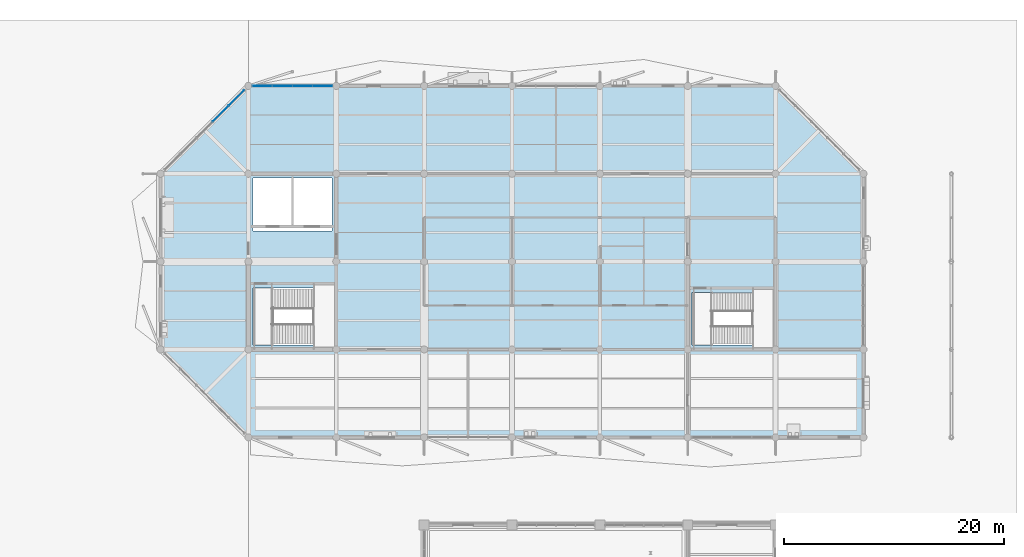
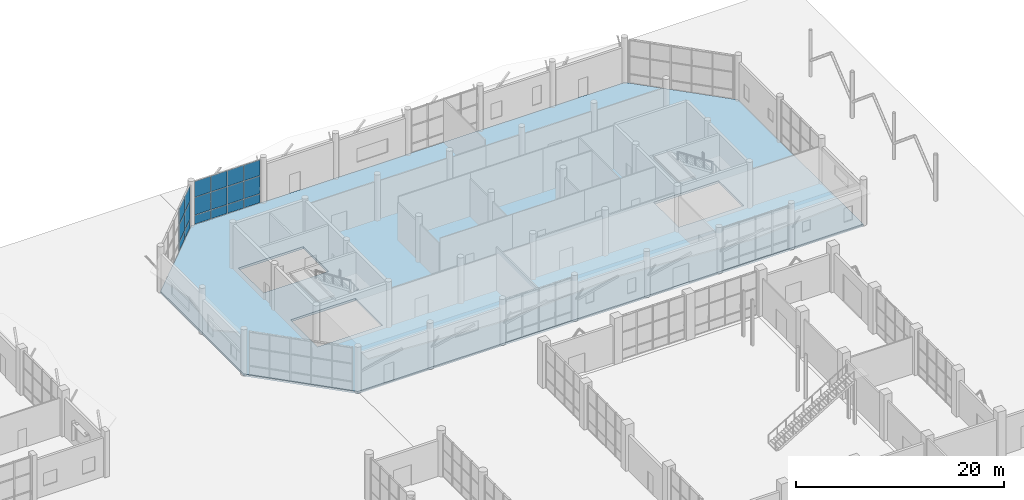
# One storey, part 85 of 123: 18 plates, 1 slab, 2 elements without a shape of their own.
"""IFC4 building model written with IfcOpenShell, lengths in metres."""

from ifc_helpers import new_model, si_unit, direction, frame, origin, origin_2d, place, context, subcontext, project, spatial, polyline, rectangle, outline, extrude, material, layer, layer_set, type_object, element, aggregate, save


model = new_model("IFC4")

# Units and contexts
model_context = context("Model", 3, precision=1e-05, world=origin(), true_north=direction((0.0, 1.0)))
body_context = subcontext(model_context, "Body", "Model", "MODEL_VIEW")
ifc_project = project(units=[si_unit("LENGTHUNIT", "METRE"), si_unit("AREAUNIT", "SQUARE_METRE"), si_unit("VOLUMEUNIT", "CUBIC_METRE"), si_unit("PLANEANGLEUNIT", "RADIAN"), si_unit("MASSUNIT", "GRAM", prefix="KILO")], contexts=[model_context])

# Site, building, storey
site_placement = place(None, origin())
site = spatial("IfcSite", under=ifc_project, at=site_placement, CompositionType="ELEMENT")
building_placement = place(site_placement, origin())
building = spatial("IfcBuilding", under=site, at=building_placement, Name="Tenunan Teduh Sports Hall", CompositionType="ELEMENT")
storey_placement = place(building_placement, origin())
storey = spatial("IfcBuildingStorey", under=building, at=storey_placement, Name="L00", CompositionType="ELEMENT", Elevation=0.0)

# Curtain wall, plates
ifc_material_1 = material(Name="Anodised aluminium", Category="aluminium")
curtain_wall_type = type_object("IfcCurtainWallType", Name="CW-UNIT-1", PredefinedType="NOTDEFINED", material=ifc_material_1)
curtain_wall_1_placement = place(storey_placement, origin())
curtain_wall_1 = element("IfcCurtainWall", 1, at=curtain_wall_1_placement, inside=storey, type_object=curtain_wall_type, Name="CW-CWM-150-L00-239", PredefinedType="NOTDEFINED")
ifc_material_2 = material(Name="Solar-control laminated glazing", Category="glass")
ifc_layer_1 = layer(ifc_material_2, 0.031982421875)
ifc_layer_set_1 = layer_set([ifc_layer_1], Name="Solar-control laminated glazing")
plate_type_1 = type_object("IfcPlateType", Name="CWP-GLZ-32", PredefinedType="CURTAIN_PANEL", material=ifc_layer_set_1)
plate_1_placement = place(storey_placement, frame((107.2587890625, 118.0, 1.1298828125), z_axis=(0.0, 0.0, 1.0), x_axis=(1.0, 0.0, 0.0)))
plate_1 = element("IfcPlate", 2, at=plate_1_placement, type_object=plate_type_1, Name="CW-01 panel 1.2", PredefinedType="CURTAIN_PANEL", context=body_context, shape_type="SweptSolid", body=[
    extrude(rectangle(XDim=1.74755859375, YDim=0.031982421875, at=origin_2d()), origin(), (0.0, 0.0, 1.0), 2.0400390625),
])
plate_2_placement = place(storey_placement, frame((107.2587890625, 118.0, 3.22998046875), z_axis=(0.0, 0.0, 1.0), x_axis=(1.0, 0.0, 0.0)))
plate_2 = element("IfcPlate", 3, at=plate_2_placement, type_object=plate_type_1, Name="CW-01 panel 1.3", PredefinedType="CURTAIN_PANEL", context=body_context, shape_type="SweptSolid", body=[
    extrude(rectangle(XDim=1.74755859375, YDim=0.031982421875, at=origin_2d()), origin(), (0.0, 0.0, 1.0), 1.830078125),
])
plate_3_placement = place(storey_placement, frame((109.081298828125, 118.0, 1.1298828125), z_axis=(0.0, 0.0, 1.0), x_axis=(1.0, 0.0, 0.0)))
plate_3 = element("IfcPlate", 4, at=plate_3_placement, type_object=plate_type_1, Name="CW-01 panel 2.2", PredefinedType="CURTAIN_PANEL", context=body_context, shape_type="SweptSolid", body=[
    extrude(rectangle(XDim=1.777587890625, YDim=0.031982421875, at=origin_2d()), origin(), (0.0, 0.0, 1.0), 2.0400390625),
])
plate_4_placement = place(storey_placement, frame((109.081298828125, 118.0, 3.22998046875), z_axis=(0.0, 0.0, 1.0), x_axis=(1.0, 0.0, 0.0)))
plate_4 = element("IfcPlate", 5, at=plate_4_placement, type_object=plate_type_1, Name="CW-01 panel 2.3", PredefinedType="CURTAIN_PANEL", context=body_context, shape_type="SweptSolid", body=[
    extrude(rectangle(XDim=1.777587890625, YDim=0.031982421875, at=origin_2d()), origin(), (0.0, 0.0, 1.0), 1.830078125),
])
plate_5_placement = place(storey_placement, frame((110.918701171875, 118.0, 1.1298828125), z_axis=(0.0, 0.0, 1.0), x_axis=(1.0, 0.0, 0.0)))
plate_5 = element("IfcPlate", 6, at=plate_5_placement, type_object=plate_type_1, Name="CW-01 panel 3.2", PredefinedType="CURTAIN_PANEL", context=body_context, shape_type="SweptSolid", body=[
    extrude(rectangle(XDim=1.777587890625, YDim=0.031982421875, at=origin_2d()), origin(), (0.0, 0.0, 1.0), 2.0400390625),
])
plate_6_placement = place(storey_placement, frame((110.918701171875, 118.0, 3.22998046875), z_axis=(0.0, 0.0, 1.0), x_axis=(1.0, 0.0, 0.0)))
plate_6 = element("IfcPlate", 7, at=plate_6_placement, type_object=plate_type_1, Name="CW-01 panel 3.3", PredefinedType="CURTAIN_PANEL", context=body_context, shape_type="SweptSolid", body=[
    extrude(rectangle(XDim=1.777587890625, YDim=0.031982421875, at=origin_2d()), origin(), (0.0, 0.0, 1.0), 1.830078125),
])
plate_7_placement = place(storey_placement, frame((112.7412109375, 118.0, 1.1298828125), z_axis=(0.0, 0.0, 1.0), x_axis=(1.0, 0.0, 0.0)))
plate_7 = element("IfcPlate", 8, at=plate_7_placement, type_object=plate_type_1, Name="CW-01 panel 4.2", PredefinedType="CURTAIN_PANEL", context=body_context, shape_type="SweptSolid", body=[
    extrude(rectangle(XDim=1.74755859375, YDim=0.031982421875, at=origin_2d()), origin(), (0.0, 0.0, 1.0), 2.0400390625),
])
plate_8_placement = place(storey_placement, frame((112.7412109375, 118.0, 3.22998046875), z_axis=(0.0, 0.0, 1.0), x_axis=(1.0, 0.0, 0.0)))
plate_8 = element("IfcPlate", 9, at=plate_8_placement, type_object=plate_type_1, Name="CW-01 panel 4.3", PredefinedType="CURTAIN_PANEL", context=body_context, shape_type="SweptSolid", body=[
    extrude(rectangle(XDim=1.74755859375, YDim=0.031982421875, at=origin_2d()), origin(), (0.0, 0.0, 1.0), 1.830078125),
])

curtain_wall_2_placement = place(storey_placement, origin())
curtain_wall_2 = element("IfcCurtainWall", 10, at=curtain_wall_2_placement, inside=storey, type_object=curtain_wall_type, Name="CW-CWM-220-L00-241", PredefinedType="NOTDEFINED")
plate_9_placement = place(storey_placement, frame((103.46337890625, 115.46337890625, 1.137451171875), z_axis=(0.0, 0.0, 1.0), x_axis=(0.707106781187, 0.707106781187, 0.0)))
plate_9 = element("IfcPlate", 11, at=plate_9_placement, type_object=plate_type_1, Name="CW-01 panel 4.2", PredefinedType="CURTAIN_PANEL", context=body_context, shape_type="SweptSolid", body=[
    extrude(rectangle(XDim=1.99462890625, YDim=0.031982421875, at=origin_2d()), origin(), (0.0, 0.0, 1.0), 2.02490234375),
])
plate_10_placement = place(storey_placement, frame((103.46337890625, 115.46337890625, 3.237548828125), z_axis=(0.0, 0.0, 1.0), x_axis=(0.707106781187, 0.707106781187, 0.0)))
plate_10 = element("IfcPlate", 12, at=plate_10_placement, type_object=plate_type_1, Name="CW-01 panel 4.3", PredefinedType="CURTAIN_PANEL", context=body_context, shape_type="SweptSolid", body=[
    extrude(rectangle(XDim=1.99462890625, YDim=0.031982421875, at=origin_2d()), origin(), (0.0, 0.0, 1.0), 1.8076171875),
])
plate_11_placement = place(storey_placement, frame((104.913818359375, 116.913818359375, 1.137451171875), z_axis=(0.0, 0.0, 1.0), x_axis=(0.707106781187, 0.707106781187, 0.0)))
plate_11 = element("IfcPlate", 13, at=plate_11_placement, type_object=plate_type_1, Name="CW-01 panel 5.2", PredefinedType="CURTAIN_PANEL", context=body_context, shape_type="SweptSolid", body=[
    extrude(rectangle(XDim=1.957275390625, YDim=0.031982421875, at=origin_2d()), origin(), (0.0, 0.0, 1.0), 2.02490234375),
])
plate_12_placement = place(storey_placement, frame((104.913818359375, 116.913818359375, 3.237548828125), z_axis=(0.0, 0.0, 1.0), x_axis=(0.707106781187, 0.707106781187, 0.0)))
plate_12 = element("IfcPlate", 14, at=plate_12_placement, type_object=plate_type_1, Name="CW-01 panel 5.3", PredefinedType="CURTAIN_PANEL", context=body_context, shape_type="SweptSolid", body=[
    extrude(rectangle(XDim=1.957275390625, YDim=0.031982421875, at=origin_2d()), origin(), (0.0, 0.0, 1.0), 1.8076171875),
])

# Plate
ifc_material_3 = material(Name="Insulated aluminium spandrel panel", Category="aluminium")
ifc_layer_2 = layer(ifc_material_3, 0.044921875)
ifc_layer_set_2 = layer_set([ifc_layer_2], Name="Insulated aluminium spandrel panel")
plate_type_2 = type_object("IfcPlateType", Name="CWP-SPN-45", PredefinedType="CURTAIN_PANEL", material=ifc_layer_set_2)
plate_13_placement = place(storey_placement, frame((107.2587890625, 118.0, 0.06005859375), z_axis=(0.0, 0.0, 1.0), x_axis=(1.0, 0.0, 0.0)))
plate_13 = element("IfcPlate", 15, at=plate_13_placement, type_object=plate_type_2, Name="CW-01 panel 1.1", PredefinedType="CURTAIN_PANEL", context=body_context, shape_type="SweptSolid", body=[
    extrude(rectangle(XDim=1.74755859375, YDim=0.031982421875, at=origin_2d()), origin(), (0.0, 0.0, 1.0), 1.010009765625),
])

plate_14_placement = place(storey_placement, frame((109.081298828125, 118.0, 0.06005859375), z_axis=(0.0, 0.0, 1.0), x_axis=(1.0, 0.0, 0.0)))
plate_14 = element("IfcPlate", 16, at=plate_14_placement, type_object=plate_type_2, Name="CW-01 panel 2.1", PredefinedType="CURTAIN_PANEL", context=body_context, shape_type="SweptSolid", body=[
    extrude(rectangle(XDim=1.777587890625, YDim=0.031982421875, at=origin_2d()), origin(), (0.0, 0.0, 1.0), 1.010009765625),
])

plate_15_placement = place(storey_placement, frame((110.918701171875, 118.0, 0.06005859375), z_axis=(0.0, 0.0, 1.0), x_axis=(1.0, 0.0, 0.0)))
plate_15 = element("IfcPlate", 17, at=plate_15_placement, type_object=plate_type_2, Name="CW-01 panel 3.1", PredefinedType="CURTAIN_PANEL", context=body_context, shape_type="SweptSolid", body=[
    extrude(rectangle(XDim=1.777587890625, YDim=0.031982421875, at=origin_2d()), origin(), (0.0, 0.0, 1.0), 1.010009765625),
])

plate_16_placement = place(storey_placement, frame((112.7412109375, 118.0, 0.06005859375), z_axis=(0.0, 0.0, 1.0), x_axis=(1.0, 0.0, 0.0)))
plate_16 = element("IfcPlate", 18, at=plate_16_placement, type_object=plate_type_2, Name="CW-01 panel 4.1", PredefinedType="CURTAIN_PANEL", context=body_context, shape_type="SweptSolid", body=[
    extrude(rectangle(XDim=1.74755859375, YDim=0.031982421875, at=origin_2d()), origin(), (0.0, 0.0, 1.0), 1.010009765625),
])

aggregate(curtain_wall_1, [plate_13, plate_1, plate_2, plate_14, plate_3, plate_4, plate_15, plate_5, plate_6, plate_16, plate_7, plate_8])

plate_17_placement = place(storey_placement, frame((103.46337890625, 115.46337890625, 0.0751953125), z_axis=(0.0, 0.0, 1.0), x_axis=(0.707106781187, 0.707106781187, 0.0)))
plate_17 = element("IfcPlate", 19, at=plate_17_placement, type_object=plate_type_2, Name="CW-01 panel 4.1", PredefinedType="CURTAIN_PANEL", context=body_context, shape_type="SweptSolid", body=[
    extrude(rectangle(XDim=1.99462890625, YDim=0.031982421875, at=origin_2d()), origin(), (0.0, 0.0, 1.0), 0.987548828125),
])

plate_18_placement = place(storey_placement, frame((104.913818359375, 116.913818359375, 0.0751953125), z_axis=(0.0, 0.0, 1.0), x_axis=(0.707106781187, 0.707106781187, 0.0)))
plate_18 = element("IfcPlate", 20, at=plate_18_placement, type_object=plate_type_2, Name="CW-01 panel 5.1", PredefinedType="CURTAIN_PANEL", context=body_context, shape_type="SweptSolid", body=[
    extrude(rectangle(XDim=1.957275390625, YDim=0.031982421875, at=origin_2d()), origin(), (0.0, 0.0, 1.0), 0.987548828125),
])

aggregate(curtain_wall_2, [plate_17, plate_9, plate_10, plate_18, plate_11, plate_12])

# Slab
ifc_material_4 = material(Name="Concrete C40/50", Category="concrete")
ifc_layer_3 = layer(ifc_material_4, 0.260009765625)
ifc_layer_set_3 = layer_set([ifc_layer_3], Name="Concrete C40/50")
slab_type = type_object("IfcSlabType", Name="SLB-FLR-260", PredefinedType="FLOOR", material=ifc_layer_set_3)
slab_placement = place(storey_placement, frame((0.0, 0.0, -0.260009765625)))
element("IfcSlab", 21, at=slab_placement, inside=storey, type_object=slab_type, Name="SL-L00-V5E", PredefinedType="FLOOR", context=body_context, shape_type="SweptSolid", body=[
    extrude(outline(polyline([(106.0, 86.0), (162.0, 86.0), (162.0, 110.0), (154.0, 118.0), (106.0, 118.0), (98.0, 110.0), (98.0, 94.0), (106.0, 86.0)]), holes=[polyline([(106.39990234375, 94.39990234375), (113.60009765625, 94.39990234375), (113.60009765625, 99.60009765625), (106.39990234375, 99.60009765625), (106.39990234375, 94.39990234375)]), polyline([(106.39990234375, 104.800048828125), (113.60009765625, 104.800048828125), (113.60009765625, 109.60009765625), (106.39990234375, 109.60009765625), (106.39990234375, 104.800048828125)]), polyline([(146.39990234375, 94.39990234375), (153.60009765625, 94.39990234375), (153.60009765625, 99.199951171875), (146.39990234375, 99.199951171875), (146.39990234375, 94.39990234375)])]), origin(), (0.0, 0.0, 1.0), 0.260009765625),
])

save(model, "model.ifc")
